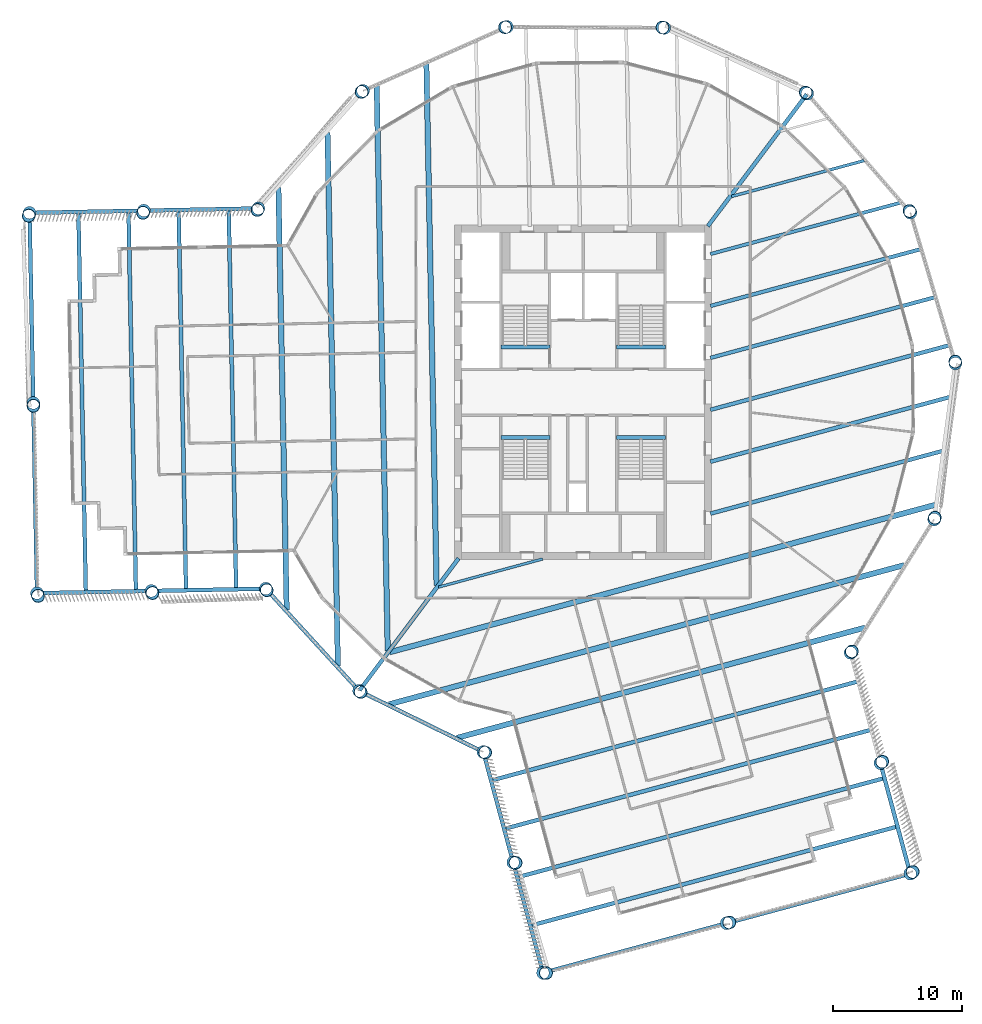
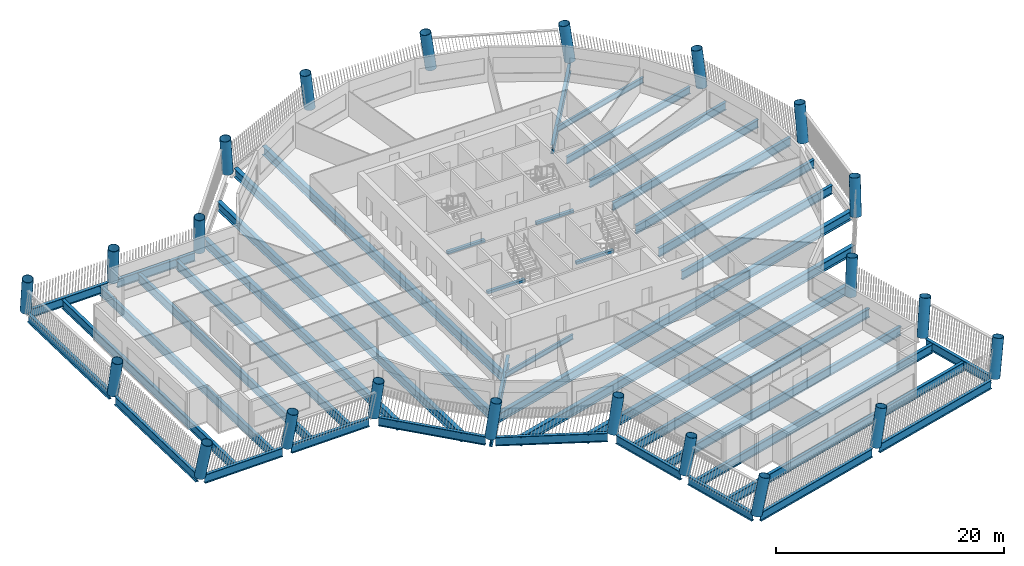
# One storey, part 1 of 15: 42 beams, 22 columns.
"""IFC4 building model written with IfcOpenShell, lengths in metres."""

from ifc_helpers import new_model, si_unit, direction, frame, origin, origin_2d, place, context, subcontext, project, spatial, rectangle, hollow_circle, i_section, extrude, material, material_profile, profile_set, type_object, element, save


model = new_model("IFC4")

# Units and contexts
model_context = context("Model", 3, precision=1e-05, world=origin(), true_north=direction((0.0, 1.0)))
body_context = subcontext(model_context, "Body", "Model", "MODEL_VIEW")
ifc_project = project(units=[si_unit("LENGTHUNIT", "METRE"), si_unit("AREAUNIT", "SQUARE_METRE"), si_unit("VOLUMEUNIT", "CUBIC_METRE"), si_unit("PLANEANGLEUNIT", "RADIAN"), si_unit("MASSUNIT", "GRAM", prefix="KILO")], contexts=[model_context])

# Site, building, storey
site_placement = place(None, origin())
site = spatial("IfcSite", under=ifc_project, at=site_placement, CompositionType="ELEMENT")
building_placement = place(site_placement, origin())
building = spatial("IfcBuilding", under=site, at=building_placement, Name="Tarsis Ring Headquarters", CompositionType="ELEMENT")
storey_placement = place(building_placement, frame((0.0, 0.0, 290.300048828125)))
storey = spatial("IfcBuildingStorey", under=building, at=storey_placement, Name="L68", CompositionType="ELEMENT", Elevation=290.300048828125)

# Columns
ifc_material_1 = material(Name="Structural steel S355", Category="steel")
ifc_material_profile_1 = material_profile(ifc_material_1, hollow_circle(Radius=0.508056640625, WallThickness=0.0400390625, at=origin_2d()), Name="CHS 1016x40")
ifc_profile_set_1 = profile_set([ifc_material_profile_1], Name="Structural steel S355")
column_type = type_object("IfcColumnType", Name="XC Exo column CHS 1016x40", PredefinedType="COLUMN", material=ifc_profile_set_1)
for number, where, z_axis, x_axis, name in (
    (1, (-17.43310546875, -23.23583984375, 0.0009765625), (0.103786666168, -0.076458040726, 0.991656440474), (0.593116857895, 0.805116384681, 0.0), "Exo column XC6 F1"),
    (2, (-7.767578125, -27.99072265625, 0.0009765625), (0.124470239143, -0.033353552106, 0.991662593894), (0.258832454679, 0.965922233104, 0.0), "Exo column XC6 AK"),
):
    element("IfcColumn", number, at=place(storey_placement, frame(where, z_axis=z_axis, x_axis=x_axis)), inside=storey, type_object=column_type, Name=name, PredefinedType="COLUMN", context=body_context, shape_type="SweptSolid", body=[
        extrude(hollow_circle(Radius=0.508056640625, WallThickness=0.0400390625, at=origin_2d()), origin(), (0.0, 0.0, 1.0), 3.9306640625),
    ])
column_1_placement = place(storey_placement, frame((-5.445556640625, -36.584716796875, 0.001220703125), z_axis=(0.161730679058, -0.022618811057, 0.986575682266), x_axis=(0.138506802645, 0.990361482299, 0.0)))
element("IfcColumn", 3, at=column_1_placement, inside=storey, type_object=column_type, Name="Exo column XC6 AI1", PredefinedType="COLUMN", context=body_context, shape_type="SweptSolid", body=[
    extrude(hollow_circle(Radius=0.508056640625, WallThickness=0.0400390625, at=origin_2d()), origin(), (0.0, 0.0, 1.0), 3.950439453125),
])
column_2_placement = place(storey_placement, frame((-3.123291015625, -45.1787109375, 0.00146484375), z_axis=(0.19826242891, -0.011973110448, 0.980075840897), x_axis=(0.060280393095, 0.998181483603, 0.0)))
element("IfcColumn", 4, at=column_2_placement, inside=storey, type_object=column_type, Name="Exo column XC6 AT1", PredefinedType="COLUMN", context=body_context, shape_type="SweptSolid", body=[
    extrude(hollow_circle(Radius=0.508056640625, WallThickness=0.0400390625, at=origin_2d()), origin(), (0.0, 0.0, 1.0), 3.97607421875),
])
column_3_placement = place(storey_placement, frame((11.164306640625, -41.318359375, 0.00146484375), z_axis=(0.181145546283, 0.050701063226, 0.982148508755), x_axis=(-0.269532860949, 0.962991192519, 0.0)))
element("IfcColumn", 5, at=column_3_placement, inside=storey, type_object=column_type, Name="Exo column XC6 AT2", PredefinedType="COLUMN", context=body_context, shape_type="SweptSolid", body=[
    extrude(hollow_circle(Radius=0.508056640625, WallThickness=0.0400390625, at=origin_2d()), origin(), (0.0, 0.0, 1.0), 3.9677734375),
])
column_4_placement = place(storey_placement, frame((25.451904296875, -37.457763671875, 0.00146484375), z_axis=(0.163324244987, 0.113098969649, 0.980068270104), x_axis=(-0.569306404665, 0.822125426932, 0.0)))
element("IfcColumn", 6, at=column_4_placement, inside=storey, type_object=column_type, Name="Exo column XC6 AT3", PredefinedType="COLUMN", context=body_context, shape_type="SweptSolid", body=[
    extrude(hollow_circle(Radius=0.508056640625, WallThickness=0.0400390625, at=origin_2d()), origin(), (0.0, 0.0, 1.0), 3.976318359375),
])
column_5_placement = place(storey_placement, frame((23.129638671875, -28.86376953125, 0.001220703125), z_axis=(0.126565519273, 0.103267081399, 0.9865683348), x_axis=(-0.632186503027, 0.774816252663, 0.0)))
element("IfcColumn", 7, at=column_5_placement, inside=storey, type_object=column_type, Name="Exo column XC6 AO1", PredefinedType="COLUMN", context=body_context, shape_type="SweptSolid", body=[
    extrude(hollow_circle(Radius=0.508056640625, WallThickness=0.0400390625, at=origin_2d()), origin(), (0.0, 0.0, 1.0), 3.950439453125),
])
for number, where, z_axis, x_axis, name in (
    (8, (20.8076171875, -20.269775390625, 0.0009765625), (0.08912830623, 0.093165476895, 0.991653336072), (-0.722589545207, 0.691277331581, 0.0), "Exo column XC6 AJ"),
    (9, (27.312744140625, -9.890869140625, 0.0009765625), (0.042856390178, 0.121550660258, 0.991659602289), (-0.943097046573, 0.332517609676, 0.0), "Exo column XC6 R1"),
    (10, (28.96142578125, 2.246337890625, 0.0009765625), (-0.011055656146, 0.128444364666, 0.991655090065), (-0.996316132979, -0.085756417636, 0.0), "Exo column XC6 R2"),
    (11, (25.4609375, 13.984375, 0.0009765625), (-0.063042325337, 0.112420304295, 0.991658883083), (-0.872218257748, -0.489116868295, 0.0), "Exo column XC6 R3"),
    (12, (17.43310546875, 23.23583984375, 0.0009765625), (-0.103786666168, 0.076458040726, 0.991656440474), (-0.593116857895, -0.805116384681, 0.0), "Exo column XC6 R4"),
    (13, (6.3056640625, 28.35595703125, 0.0009765625), (-0.126084359077, 0.02683174538, 0.99165658967), (-0.208146874456, -0.978097581356, 0.0), "Exo column XC6 R5"),
    (14, (-5.94287109375, 28.43408203125, 0.0009765625), (-0.125959986428, -0.027452817555, 0.991655396107), (0.212949665458, -0.977063170927, 0.0), "Exo column XC6 R6"),
    (15, (-17.134765625, 23.45654296875, 0.0009765625), (-0.103414548252, -0.076893219661, 0.991661668101), (0.596678892036, -0.802480093086, 0.0), "Exo column XC6 R7"),
    (16, (-25.280029296875, 14.30859375, 0.0009765625), (-0.062544766843, -0.112791754307, 0.991648209952), (0.8745431697, -0.484947671745, 0.0), "Exo column XC6 BJ"),
):
    element("IfcColumn", number, at=place(storey_placement, frame(where, z_axis=z_axis, x_axis=x_axis)), inside=storey, type_object=column_type, Name=name, PredefinedType="COLUMN", context=body_context, shape_type="SweptSolid", body=[
        extrude(hollow_circle(Radius=0.508056640625, WallThickness=0.0400390625, at=origin_2d()), origin(), (0.0, 0.0, 1.0), 3.9306640625),
    ])
column_6_placement = place(storey_placement, frame((-34.1806640625, 14.13427734375, 0.001220703125), z_axis=(-0.061058896363, -0.15141123086, 0.986583220182), x_axis=(0.927428765891, -0.373999845184, 0.0)))
element("IfcColumn", 17, at=column_6_placement, inside=storey, type_object=column_type, Name="Exo column XC6 BO1", PredefinedType="COLUMN", context=body_context, shape_type="SweptSolid", body=[
    extrude(hollow_circle(Radius=0.508056640625, WallThickness=0.0400390625, at=origin_2d()), origin(), (0.0, 0.0, 1.0), 3.950439453125),
])
column_7_placement = place(storey_placement, frame((-43.081298828125, 13.960205078125, 0.00146484375), z_axis=(-0.059558568495, -0.189482208634, 0.980076154964), x_axis=(0.95398361098, -0.299858750049, 0.0)))
element("IfcColumn", 18, at=column_7_placement, inside=storey, type_object=column_type, Name="Exo column XC6 BT3", PredefinedType="COLUMN", context=body_context, shape_type="SweptSolid", body=[
    extrude(hollow_circle(Radius=0.508056640625, WallThickness=0.0400390625, at=origin_2d()), origin(), (0.0, 0.0, 1.0), 3.97607421875),
])
column_8_placement = place(storey_placement, frame((-42.791748046875, -0.8369140625, 0.00146484375), z_axis=(0.005291611615, -0.188036803435, 0.98214772789), x_axis=(0.999604266924, 0.028130224789, 0.0)))
element("IfcColumn", 19, at=column_8_placement, inside=storey, type_object=column_type, Name="Exo column XC6 BT2", PredefinedType="COLUMN", context=body_context, shape_type="SweptSolid", body=[
    extrude(hollow_circle(Radius=0.508056640625, WallThickness=0.0400390625, at=origin_2d()), origin(), (0.0, 0.0, 1.0), 3.9677734375),
])
column_9_placement = place(storey_placement, frame((-42.50244140625, -15.634033203125, 0.00146484375), z_axis=(0.070181024801, -0.185798583593, 0.980078318346), x_axis=(0.935487991101, 0.353358484411, 0.0)))
element("IfcColumn", 20, at=column_9_placement, inside=storey, type_object=column_type, Name="Exo column XC6 BT1", PredefinedType="COLUMN", context=body_context, shape_type="SweptSolid", body=[
    extrude(hollow_circle(Radius=0.508056640625, WallThickness=0.0400390625, at=origin_2d()), origin(), (0.0, 0.0, 1.0), 3.97607421875),
])
column_10_placement = place(storey_placement, frame((-33.601806640625, -15.4599609375, 0.001220703125), z_axis=(0.06952505244, -0.147763911453, 0.98657594414), x_axis=(0.904844430021, 0.425742360424, 0.0)))
element("IfcColumn", 21, at=column_10_placement, inside=storey, type_object=column_type, Name="Exo column XC6 BI1", PredefinedType="COLUMN", context=body_context, shape_type="SweptSolid", body=[
    extrude(hollow_circle(Radius=0.508056640625, WallThickness=0.0400390625, at=origin_2d()), origin(), (0.0, 0.0, 1.0), 3.950439453125),
])
column_11_placement = place(storey_placement, frame((-24.701416015625, -15.285888671875, 0.0009765625), z_axis=(0.068818436156, -0.109003930915, 0.991656274064), x_axis=(0.845580482624, 0.533847962819, 0.0)))
element("IfcColumn", 22, at=column_11_placement, inside=storey, type_object=column_type, Name="Exo column XC6 BK", PredefinedType="COLUMN", context=body_context, shape_type="SweptSolid", body=[
    extrude(hollow_circle(Radius=0.508056640625, WallThickness=0.0400390625, at=origin_2d()), origin(), (0.0, 0.0, 1.0), 3.9306640625),
])

# Beams
ifc_material_profile_2 = material_profile(ifc_material_1, i_section(OverallWidth=0.209228515625, OverallDepth=0.533447265625, WebThickness=0.01025390625, FlangeThickness=0.015625, at=origin_2d()), Name="W21x62")
ifc_profile_set_2 = profile_set([ifc_material_profile_2], Name="Structural steel S355")
beam_type_1 = type_object("IfcBeamType", Name="FB Floor beam W21x62", PredefinedType="JOIST", material=ifc_profile_set_2)
beam_1_placement = place(storey_placement, frame((-11.258544921875, -15.16162109375, -0.4267578125), z_axis=(0.965377857415, 0.260855501019, 0.0), x_axis=(-0.260855501019, 0.965377857415, 0.0)))
element("IfcBeam", 23, at=beam_1_placement, inside=storey, type_object=beam_type_1, Name="Floor beam FB3", PredefinedType="JOIST", context=body_context, shape_type="SweptSolid", body=[
    extrude(i_section(OverallWidth=0.209228515625, OverallDepth=0.533447265625, WebThickness=0.01025390625, FlangeThickness=0.015625, at=origin_2d()), origin(), (0.0, 0.0, 1.0), 8.38671875),
])
ifc_material_profile_3 = material_profile(ifc_material_1, i_section(OverallWidth=0.228271484375, OverallDepth=0.607177734375, WebThickness=0.01123046875, FlangeThickness=0.017333984375, at=origin_2d()), Name="W24x76")
ifc_profile_set_3 = profile_set([ifc_material_profile_3], Name="Structural steel S355")
beam_type_2 = type_object("IfcBeamType", Name="FB Floor beam W24x76", PredefinedType="JOIST", material=ifc_profile_set_3)
beam_2_placement = place(storey_placement, frame((11.551513671875, 15.24072265625, -0.463623046875), z_axis=(0.96537863491, 0.260852623639, 0.0), x_axis=(-0.260852623639, 0.96537863491, 0.0)))
element("IfcBeam", 24, at=beam_2_placement, inside=storey, type_object=beam_type_2, Name="Floor beam FB4", PredefinedType="JOIST", context=body_context, shape_type="SweptSolid", body=[
    extrude(i_section(OverallWidth=0.228271484375, OverallDepth=0.607177734375, WebThickness=0.01123046875, FlangeThickness=0.017333984375, at=origin_2d()), origin(), (0.0, 0.0, 1.0), 10.6845703125),
])
ifc_material_profile_4 = material_profile(ifc_material_1, i_section(OverallWidth=0.2666015625, OverallDepth=0.7568359375, WebThickness=0.013916015625, FlangeThickness=0.019287109375, at=origin_2d()), Name="W30x108")
ifc_profile_set_4 = profile_set([ifc_material_profile_4], Name="Structural steel S355")
beam_type_3 = type_object("IfcBeamType", Name="FB Floor beam W30x108", PredefinedType="JOIST", material=ifc_profile_set_4)
beam_3_placement = place(storey_placement, frame((9.903564453125, 10.755615234375, -0.53857421875), z_axis=(0.96538246681, 0.260838441907, 0.0), x_axis=(-0.260838441907, 0.96538246681, 0.0)))
element("IfcBeam", 25, at=beam_3_placement, inside=storey, type_object=beam_type_3, Name="Floor beam FB6", PredefinedType="JOIST", context=body_context, shape_type="SweptSolid", body=[
    extrude(i_section(OverallWidth=0.2666015625, OverallDepth=0.7568359375, WebThickness=0.013916015625, FlangeThickness=0.019287109375, at=origin_2d()), origin(), (0.0, 0.0, 1.0), 15.333251953125),
])
ifc_material_profile_5 = material_profile(ifc_material_1, i_section(OverallWidth=0.2919921875, OverallDepth=0.835693359375, WebThickness=0.013916015625, FlangeThickness=0.018798828125, at=origin_2d()), Name="W33x118")
ifc_profile_set_5 = profile_set([ifc_material_profile_5], Name="Structural steel S355")
beam_type_4 = type_object("IfcBeamType", Name="FB Floor beam W33x118", PredefinedType="JOIST", material=ifc_profile_set_5)
beam_4_placement = place(storey_placement, frame((9.903564453125, 6.7158203125, -0.577880859375), z_axis=(0.965381544537, 0.260841855284, 0.0), x_axis=(-0.260841855284, 0.965381544537, 0.0)))
element("IfcBeam", 26, at=beam_4_placement, inside=storey, type_object=beam_type_4, Name="Floor beam FB7", PredefinedType="JOIST", context=body_context, shape_type="SweptSolid", body=[
    extrude(i_section(OverallWidth=0.2919921875, OverallDepth=0.835693359375, WebThickness=0.013916015625, FlangeThickness=0.018798828125, at=origin_2d()), origin(), (0.0, 0.0, 1.0), 16.9365234375),
])
beam_5_placement = place(storey_placement, frame((9.903564453125, 2.67578125, -0.577880859375), z_axis=(0.96538148796, 0.260842064677, 0.0), x_axis=(-0.260842064677, 0.96538148796, 0.0)))
element("IfcBeam", 27, at=beam_5_placement, inside=storey, type_object=beam_type_4, Name="Floor beam FB7", PredefinedType="JOIST", context=body_context, shape_type="SweptSolid", body=[
    extrude(i_section(OverallWidth=0.2919921875, OverallDepth=0.835693359375, WebThickness=0.013916015625, FlangeThickness=0.018798828125, at=origin_2d()), origin(), (0.0, 0.0, 1.0), 18.09130859375),
])
ifc_material_profile_6 = material_profile(ifc_material_1, i_section(OverallWidth=0.3046875, OverallDepth=0.904296875, WebThickness=0.01513671875, FlangeThickness=0.02001953125, at=origin_2d()), Name="W36x135")
ifc_profile_set_6 = profile_set([ifc_material_profile_6], Name="Structural steel S355")
beam_type_5 = type_object("IfcBeamType", Name="FB Floor beam W36x135", PredefinedType="JOIST", material=ifc_profile_set_6)
beam_6_placement = place(storey_placement, frame((9.903564453125, -1.364013671875, -0.612060546875), z_axis=(0.965381438173, 0.260842248938, 0.0), x_axis=(-0.260842248938, 0.965381438173, 0.0)))
element("IfcBeam", 28, at=beam_6_placement, inside=storey, type_object=beam_type_5, Name="Floor beam FB8", PredefinedType="JOIST", context=body_context, shape_type="SweptSolid", body=[
    extrude(i_section(OverallWidth=0.3046875, OverallDepth=0.904296875, WebThickness=0.01513671875, FlangeThickness=0.02001953125, at=origin_2d()), origin(), (0.0, 0.0, 1.0), 19.246337890625),
])
beam_7_placement = place(storey_placement, frame((9.903564453125, -5.40380859375, -0.612060546875), z_axis=(0.965380348063, 0.260846283419, 0.0), x_axis=(-0.260846283419, 0.965380348063, 0.0)))
element("IfcBeam", 29, at=beam_7_placement, inside=storey, type_object=beam_type_5, Name="Floor beam FB8", PredefinedType="JOIST", context=body_context, shape_type="SweptSolid", body=[
    extrude(i_section(OverallWidth=0.3046875, OverallDepth=0.904296875, WebThickness=0.01513671875, FlangeThickness=0.02001953125, at=origin_2d()), origin(), (0.0, 0.0, 1.0), 19.307861328125),
])
beam_8_placement = place(storey_placement, frame((9.903564453125, -9.443603515625, -0.612060546875), z_axis=(0.965382391513, 0.260838720586, 0.0), x_axis=(-0.260838720586, 0.965382391513, 0.0)))
element("IfcBeam", 30, at=beam_8_placement, inside=storey, type_object=beam_type_5, Name="Floor beam FB8", PredefinedType="JOIST", context=body_context, shape_type="SweptSolid", body=[
    extrude(i_section(OverallWidth=0.3046875, OverallDepth=0.904296875, WebThickness=0.01513671875, FlangeThickness=0.02001953125, at=origin_2d()), origin(), (0.0, 0.0, 1.0), 18.7177734375),
])
ifc_material_profile_7 = material_profile(ifc_material_1, i_section(OverallWidth=0.309814453125, OverallDepth=0.949951171875, WebThickness=0.0244140625, FlangeThickness=0.0439453125, at=origin_2d()), Name="W36x256")
ifc_profile_set_7 = profile_set([ifc_material_profile_7], Name="Structural steel S355")
beam_type_6 = type_object("IfcBeamType", Name="FB Floor beam W36x256", PredefinedType="JOIST", material=ifc_profile_set_7)
beam_9_placement = place(storey_placement, frame((-7.113525390625, -30.200927734375, -0.635009765625), z_axis=(0.96538204462, 0.260840004458, 0.0), x_axis=(-0.260840004458, 0.96538204462, 0.0)))
element("IfcBeam", 31, at=beam_9_placement, inside=storey, type_object=beam_type_6, Name="Floor beam FB11", PredefinedType="JOIST", context=body_context, shape_type="SweptSolid", body=[
    extrude(i_section(OverallWidth=0.309814453125, OverallDepth=0.949951171875, WebThickness=0.0244140625, FlangeThickness=0.0439453125, at=origin_2d()), origin(), (0.0, 0.0, 1.0), 29.489990234375),
])
beam_10_placement = place(storey_placement, frame((-6.096435546875, -33.966064453125, -0.635009765625), z_axis=(0.965380523202, 0.260845635238, 0.0), x_axis=(-0.260845635238, 0.965380523202, 0.0)))
element("IfcBeam", 32, at=beam_10_placement, inside=storey, type_object=beam_type_6, Name="Floor beam FB11", PredefinedType="JOIST", context=body_context, shape_type="SweptSolid", body=[
    extrude(i_section(OverallWidth=0.309814453125, OverallDepth=0.949951171875, WebThickness=0.0244140625, FlangeThickness=0.0439453125, at=origin_2d()), origin(), (0.0, 0.0, 1.0), 29.490234375),
])
beam_11_placement = place(storey_placement, frame((-5.0791015625, -37.73095703125, -0.635009765625), z_axis=(0.965382607882, 0.260837919788, 0.0), x_axis=(-0.260837919788, 0.965382607882, 0.0)))
element("IfcBeam", 33, at=beam_11_placement, inside=storey, type_object=beam_type_6, Name="Floor beam FB11", PredefinedType="JOIST", context=body_context, shape_type="SweptSolid", body=[
    extrude(i_section(OverallWidth=0.309814453125, OverallDepth=0.949951171875, WebThickness=0.0244140625, FlangeThickness=0.0439453125, at=origin_2d()), origin(), (0.0, 0.0, 1.0), 29.489990234375),
])
beam_12_placement = place(storey_placement, frame((-4.061767578125, -41.49609375, -0.635009765625), z_axis=(0.965380523202, 0.260845635238, 0.0), x_axis=(-0.260845635238, 0.965380523202, 0.0)))
element("IfcBeam", 34, at=beam_12_placement, inside=storey, type_object=beam_type_6, Name="Floor beam FB11", PredefinedType="JOIST", context=body_context, shape_type="SweptSolid", body=[
    extrude(i_section(OverallWidth=0.309814453125, OverallDepth=0.949951171875, WebThickness=0.0244140625, FlangeThickness=0.0439453125, at=origin_2d()), origin(), (0.0, 0.0, 1.0), 29.490234375),
])
for number, where, z_axis, x_axis, name in (
    (35, (-27.5830078125, 14.20849609375, -0.635009765625), (0.019546145873, -0.999808955842, 0.0), (0.999808955842, 0.019546145873, 0.0), "Floor beam FB11"),
    (36, (-31.482177734375, 14.13232421875, -0.635009765625), (0.019546145873, -0.999808955842, 0.0), (0.999808955842, 0.019546145873, 0.0), "Floor beam FB11"),
    (37, (-35.381591796875, 14.05615234375, -0.635009765625), (0.019546145873, -0.999808955842, 0.0), (0.999808955842, 0.019546145873, 0.0), "Floor beam FB11"),
):
    element("IfcBeam", number, at=place(storey_placement, frame(where, z_axis=z_axis, x_axis=x_axis)), inside=storey, type_object=beam_type_6, Name=name, PredefinedType="JOIST", context=body_context, shape_type="SweptSolid", body=[
        extrude(i_section(OverallWidth=0.309814453125, OverallDepth=0.949951171875, WebThickness=0.0244140625, FlangeThickness=0.0439453125, at=origin_2d()), origin(), (0.0, 0.0, 1.0), 29.489990234375),
    ])
beam_13_placement = place(storey_placement, frame((-39.28076171875, 13.97998046875, -0.635009765625), z_axis=(0.019545984087, -0.999808959005, 0.0), x_axis=(0.999808959005, 0.019545984087, 0.0)))
element("IfcBeam", 38, at=beam_13_placement, inside=storey, type_object=beam_type_6, Name="Floor beam FB11", PredefinedType="JOIST", context=body_context, shape_type="SweptSolid", body=[
    extrude(i_section(OverallWidth=0.309814453125, OverallDepth=0.949951171875, WebThickness=0.0244140625, FlangeThickness=0.0439453125, at=origin_2d()), origin(), (0.0, 0.0, 1.0), 29.490234375),
])
beam_type_7 = type_object("IfcBeamType", Name="FB Floor beam W36x256 spine", PredefinedType="BEAM", material=ifc_profile_set_7)
beam_14_placement = place(storey_placement, frame((-9.693603515625, -12.919921875, -0.635009765625), z_axis=(-0.600136904575, -0.799897303263, 0.0), x_axis=(0.799897303263, -0.600136904575, 0.0)))
element("IfcBeam", 39, at=beam_14_placement, inside=storey, type_object=beam_type_7, Name="Floor beam SB11", PredefinedType="BEAM", context=body_context, shape_type="SweptSolid", body=[
    extrude(i_section(OverallWidth=0.309814453125, OverallDepth=0.949951171875, WebThickness=0.0244140625, FlangeThickness=0.0439453125, at=origin_2d()), origin(), (0.0, 0.0, 1.0), 12.8388671875),
])
beam_15_placement = place(storey_placement, frame((17.398193359375, 23.18896484375, -0.635009765625), z_axis=(-0.60013995628, -0.799895013659, 0.0), x_axis=(0.799895013659, -0.60013995628, 0.0)))
element("IfcBeam", 40, at=beam_15_placement, inside=storey, type_object=beam_type_7, Name="Floor beam SB11", PredefinedType="BEAM", context=body_context, shape_type="SweptSolid", body=[
    extrude(i_section(OverallWidth=0.309814453125, OverallDepth=0.949951171875, WebThickness=0.0244140625, FlangeThickness=0.0439453125, at=origin_2d()), origin(), (0.0, 0.0, 1.0), 12.837890625),
])
ifc_material_profile_8 = material_profile(ifc_material_1, i_section(OverallWidth=0.42431640625, OverallDepth=0.947509765625, WebThickness=0.02392578125, FlangeThickness=0.042724609375, at=origin_2d()), Name="W36x302")
ifc_profile_set_8 = profile_set([ifc_material_profile_8], Name="Structural steel S355")
beam_type_8 = type_object("IfcBeamType", Name="FB Floor beam W36x302", PredefinedType="JOIST", material=ifc_profile_set_8)
beam_16_placement = place(storey_placement, frame((-15.060302734375, -20.228515625, -0.6337890625), z_axis=(0.965382470936, 0.260838426636, 0.0), x_axis=(-0.260838426636, 0.965382470936, 0.0)))
element("IfcBeam", 41, at=beam_16_placement, inside=storey, type_object=beam_type_8, Name="Floor beam FB12", PredefinedType="JOIST", context=body_context, shape_type="SweptSolid", body=[
    extrude(i_section(OverallWidth=0.42431640625, OverallDepth=0.947509765625, WebThickness=0.02392578125, FlangeThickness=0.042724609375, at=origin_2d()), origin(), (0.0, 0.0, 1.0), 43.986572265625),
])
beam_17_placement = place(storey_placement, frame((-15.10693359375, -24.281005859375, -0.6337890625), z_axis=(0.965381881786, 0.260840607112, 0.0), x_axis=(-0.260840607112, 0.965381881786, 0.0)))
element("IfcBeam", 42, at=beam_17_placement, inside=storey, type_object=beam_type_8, Name="Floor beam FB12", PredefinedType="JOIST", context=body_context, shape_type="SweptSolid", body=[
    extrude(i_section(OverallWidth=0.42431640625, OverallDepth=0.947509765625, WebThickness=0.02392578125, FlangeThickness=0.042724609375, at=origin_2d()), origin(), (0.0, 0.0, 1.0), 41.523681640625),
])
beam_18_placement = place(storey_placement, frame((-9.80615234375, -26.888671875, -0.6337890625), z_axis=(0.965381690995, 0.260841313239, 0.0), x_axis=(-0.260841313239, 0.965381690995, 0.0)))
element("IfcBeam", 43, at=beam_18_placement, inside=storey, type_object=beam_type_8, Name="Floor beam FB12", PredefinedType="JOIST", context=body_context, shape_type="SweptSolid", body=[
    extrude(i_section(OverallWidth=0.42431640625, OverallDepth=0.947509765625, WebThickness=0.02392578125, FlangeThickness=0.042724609375, at=origin_2d()), origin(), (0.0, 0.0, 1.0), 32.875244140625),
])
beam_19_placement = place(storey_placement, frame((-12.202392578125, 25.58154296875, -0.6337890625), z_axis=(0.019548614603, -0.999808907575, 0.0), x_axis=(0.999808907575, 0.019548614603, 0.0)))
element("IfcBeam", 44, at=beam_19_placement, inside=storey, type_object=beam_type_8, Name="Floor beam FB12", PredefinedType="JOIST", context=body_context, shape_type="SweptSolid", body=[
    extrude(i_section(OverallWidth=0.42431640625, OverallDepth=0.947509765625, WebThickness=0.02392578125, FlangeThickness=0.042724609375, at=origin_2d()), origin(), (0.0, 0.0, 1.0), 40.638916015625),
])
beam_20_placement = place(storey_placement, frame((-16.069580078125, 23.86181640625, -0.6337890625), z_axis=(0.019548266558, -0.99980891438, 0.0), x_axis=(0.99980891438, 0.019548266558, 0.0)))
element("IfcBeam", 45, at=beam_20_placement, inside=storey, type_object=beam_type_8, Name="Floor beam FB12", PredefinedType="JOIST", context=body_context, shape_type="SweptSolid", body=[
    extrude(i_section(OverallWidth=0.42431640625, OverallDepth=0.947509765625, WebThickness=0.02392578125, FlangeThickness=0.042724609375, at=origin_2d()), origin(), (0.0, 0.0, 1.0), 43.986572265625),
])
beam_21_placement = place(storey_placement, frame((-19.899169921875, 20.22119140625, -0.6337890625), z_axis=(0.019549450825, -0.999808891225, 0.0), x_axis=(0.999808891225, 0.019549450825, 0.0)))
element("IfcBeam", 46, at=beam_21_placement, inside=storey, type_object=beam_type_8, Name="Floor beam FB12", PredefinedType="JOIST", context=body_context, shape_type="SweptSolid", body=[
    extrude(i_section(OverallWidth=0.42431640625, OverallDepth=0.947509765625, WebThickness=0.02392578125, FlangeThickness=0.042724609375, at=origin_2d()), origin(), (0.0, 0.0, 1.0), 41.52392578125),
])
beam_22_placement = place(storey_placement, frame((-23.716064453125, 15.934326171875, -0.6337890625), z_axis=(0.0195458523, -0.999808961581, 0.0), x_axis=(0.999808961581, 0.0195458523, 0.0)))
element("IfcBeam", 47, at=beam_22_placement, inside=storey, type_object=beam_type_8, Name="Floor beam FB12", PredefinedType="JOIST", context=body_context, shape_type="SweptSolid", body=[
    extrude(i_section(OverallWidth=0.42431640625, OverallDepth=0.947509765625, WebThickness=0.02392578125, FlangeThickness=0.042724609375, at=origin_2d()), origin(), (0.0, 0.0, 1.0), 32.87548828125),
])
ifc_material_2 = material(Name="Concrete C40/50", Category="concrete")
ifc_material_profile_9 = material_profile(ifc_material_2, rectangle(XDim=0.300048828125, YDim=0.300048828125, at=origin_2d()), Name="Stair head beam 300x300 C40/50")
ifc_profile_set_9 = profile_set([ifc_material_profile_9], Name="Concrete C40/50")
beam_type_9 = type_object("IfcBeamType", Name="Stair head beam 300x300 C40/50", PredefinedType="BEAM", material=ifc_profile_set_9)
for number, where, z_axis, x_axis, name in (
    (48, (-6.39990234375, 3.510009765625, -0.31005859375), (1.0, 0.0, 0.0), (0.0, 1.0, 0.0), "Stair head beam L68 Firefighting stair"),
    (49, (2.60009765625, 3.510009765625, -0.31005859375), (1.0, 0.0, 0.0), (0.0, 1.0, 0.0), "Stair head beam L68 Exit stair B"),
    (50, (-6.39990234375, -3.510009765625, -0.31005859375), (1.0, 0.0, 0.0), (0.0, 1.0, 0.0), "Stair head beam L68 Exit stair C"),
    (51, (2.60009765625, -3.510009765625, -0.31005859375), (1.0, 0.0, 0.0), (0.0, 1.0, 0.0), "Stair head beam L68 Exit stair D"),
):
    element("IfcBeam", number, at=place(storey_placement, frame(where, z_axis=z_axis, x_axis=x_axis)), inside=storey, type_object=beam_type_9, Name=name, PredefinedType="BEAM", context=body_context, shape_type="SweptSolid", body=[
        extrude(rectangle(XDim=0.300048828125, YDim=0.300048828125, at=origin_2d()), origin(), (0.0, 0.0, 1.0), 3.7998046875),
    ])
ifc_material_profile_10 = material_profile(ifc_material_1, i_section(OverallWidth=0.309814453125, OverallDepth=0.93212890625, WebThickness=0.02099609375, FlangeThickness=0.034423828125, at=origin_2d()), Name="W36x210")
ifc_profile_set_10 = profile_set([ifc_material_profile_10], Name="Structural steel S355")
beam_type_10 = type_object("IfcBeamType", Name="XG Ring girder W36x210", PredefinedType="BEAM", material=ifc_profile_set_10)
beam_23_placement = place(storey_placement, frame((-17.02294921875, -23.4375, -0.466064453125), z_axis=(0.897296415726, -0.441428524593, 0.0), x_axis=(0.441428524593, 0.897296415726, 0.0)))
element("IfcBeam", 52, at=beam_23_placement, inside=storey, type_object=beam_type_10, Name="Ring girder XG3", PredefinedType="BEAM", context=body_context, shape_type="SweptSolid", body=[
    extrude(i_section(OverallWidth=0.309814453125, OverallDepth=0.93212890625, WebThickness=0.02099609375, FlangeThickness=0.034423828125, at=origin_2d()), origin(), (0.0, 0.0, 1.0), 9.857421875),
])
for number, where, z_axis, x_axis, name in (
    (53, (-7.6484375, -28.43212890625, -0.466064453125), (0.260838199485, -0.96538253231, 0.0), (0.96538253231, 0.260838199485, 0.0), "Ring girder XG3"),
    (54, (-5.326416015625, -37.026123046875, -0.466064453125), (0.260838199485, -0.96538253231, 0.0), (0.96538253231, 0.260838199485, 0.0), "Ring girder XG3"),
):
    element("IfcBeam", number, at=place(storey_placement, frame(where, z_axis=z_axis, x_axis=x_axis)), inside=storey, type_object=beam_type_10, Name=name, PredefinedType="BEAM", context=body_context, shape_type="SweptSolid", body=[
        extrude(i_section(OverallWidth=0.309814453125, OverallDepth=0.93212890625, WebThickness=0.02099609375, FlangeThickness=0.034423828125, at=origin_2d()), origin(), (0.0, 0.0, 1.0), 7.98779296875),
    ])
beam_24_placement = place(storey_placement, frame((-2.682373046875, -45.0595703125, -0.466064453125), z_axis=(0.965379907967, 0.26084791219, 0.0), x_axis=(-0.26084791219, 0.965379907967, 0.0)))
element("IfcBeam", 55, at=beam_24_placement, inside=storey, type_object=beam_type_10, Name="Ring girder XG3", PredefinedType="BEAM", context=body_context, shape_type="SweptSolid", body=[
    extrude(i_section(OverallWidth=0.309814453125, OverallDepth=0.93212890625, WebThickness=0.02099609375, FlangeThickness=0.034423828125, at=origin_2d()), origin(), (0.0, 0.0, 1.0), 13.8857421875),
])
beam_25_placement = place(storey_placement, frame((11.60546875, -41.198974609375, -0.466064453125), z_axis=(0.965383139124, 0.26083595361, 0.0), x_axis=(-0.26083595361, 0.965383139124, 0.0)))
element("IfcBeam", 56, at=beam_25_placement, inside=storey, type_object=beam_type_10, Name="Ring girder XG3", PredefinedType="BEAM", context=body_context, shape_type="SweptSolid", body=[
    extrude(i_section(OverallWidth=0.309814453125, OverallDepth=0.93212890625, WebThickness=0.02099609375, FlangeThickness=0.034423828125, at=origin_2d()), origin(), (0.0, 0.0, 1.0), 13.885498046875),
])
beam_26_placement = place(storey_placement, frame((25.33251953125, -37.0166015625, -0.466064453125), z_axis=(-0.260858987297, 0.965376915379, 0.0), x_axis=(-0.965376915379, -0.260858987297, 0.0)))
element("IfcBeam", 57, at=beam_26_placement, inside=storey, type_object=beam_type_10, Name="Ring girder XG3", PredefinedType="BEAM", context=body_context, shape_type="SweptSolid", body=[
    extrude(i_section(OverallWidth=0.309814453125, OverallDepth=0.93212890625, WebThickness=0.02099609375, FlangeThickness=0.034423828125, at=origin_2d()), origin(), (0.0, 0.0, 1.0), 7.988037109375),
])
for number, where, z_axis, x_axis, name in (
    (58, (-25.737060546875, 14.299560546875, -0.466064453125), (-0.999809263742, -0.019530390057, 0.0), (0.019530390057, -0.999809263742, 0.0), "Ring girder XG3"),
    (59, (-34.6376953125, 14.125732421875, -0.466064453125), (-0.999808666463, -0.019560942362, 0.0), (0.019560942362, -0.999808666463, 0.0), "Ring girder XG3"),
):
    element("IfcBeam", number, at=place(storey_placement, frame(where, z_axis=z_axis, x_axis=x_axis)), inside=storey, type_object=beam_type_10, Name=name, PredefinedType="BEAM", context=body_context, shape_type="SweptSolid", body=[
        extrude(i_section(OverallWidth=0.309814453125, OverallDepth=0.93212890625, WebThickness=0.02099609375, FlangeThickness=0.034423828125, at=origin_2d()), origin(), (0.0, 0.0, 1.0), 7.98779296875),
    ])
beam_27_placement = place(storey_placement, frame((-43.072265625, 13.50341796875, -0.466064453125), z_axis=(0.019551692429, -0.999808847392, 0.0), x_axis=(0.999808847392, 0.019551692429, 0.0)))
element("IfcBeam", 60, at=beam_27_placement, inside=storey, type_object=beam_type_10, Name="Ring girder XG3", PredefinedType="BEAM", context=body_context, shape_type="SweptSolid", body=[
    extrude(i_section(OverallWidth=0.309814453125, OverallDepth=0.93212890625, WebThickness=0.02099609375, FlangeThickness=0.034423828125, at=origin_2d()), origin(), (0.0, 0.0, 1.0), 13.885498046875),
])
beam_28_placement = place(storey_placement, frame((-42.782958984375, -1.293701171875, -0.466064453125), z_axis=(0.019551348734, -0.999808854113, 0.0), x_axis=(0.999808854113, 0.019551348734, 0.0)))
element("IfcBeam", 61, at=beam_28_placement, inside=storey, type_object=beam_type_10, Name="Ring girder XG3", PredefinedType="BEAM", context=body_context, shape_type="SweptSolid", body=[
    extrude(i_section(OverallWidth=0.309814453125, OverallDepth=0.93212890625, WebThickness=0.02099609375, FlangeThickness=0.034423828125, at=origin_2d()), origin(), (0.0, 0.0, 1.0), 13.8857421875),
])
beam_29_placement = place(storey_placement, frame((-42.04541015625, -15.624755859375, -0.466064453125), z_axis=(0.999809263742, 0.019530390057, 0.0), x_axis=(-0.019530390057, 0.999809263742, 0.0)))
element("IfcBeam", 62, at=beam_29_placement, inside=storey, type_object=beam_type_10, Name="Ring girder XG3", PredefinedType="BEAM", context=body_context, shape_type="SweptSolid", body=[
    extrude(i_section(OverallWidth=0.309814453125, OverallDepth=0.93212890625, WebThickness=0.02099609375, FlangeThickness=0.034423828125, at=origin_2d()), origin(), (0.0, 0.0, 1.0), 7.98779296875),
])
beam_30_placement = place(storey_placement, frame((-33.144775390625, -15.450927734375, -0.466064453125), z_axis=(0.999808654767, 0.019561540126, 0.0), x_axis=(-0.019561540126, 0.999808654767, 0.0)))
element("IfcBeam", 63, at=beam_30_placement, inside=storey, type_object=beam_type_10, Name="Ring girder XG3", PredefinedType="BEAM", context=body_context, shape_type="SweptSolid", body=[
    extrude(i_section(OverallWidth=0.309814453125, OverallDepth=0.93212890625, WebThickness=0.02099609375, FlangeThickness=0.034423828125, at=origin_2d()), origin(), (0.0, 0.0, 1.0), 7.987548828125),
])
beam_31_placement = place(storey_placement, frame((-24.39306640625, -15.623291015625, -0.466064453125), z_axis=(0.674770741329, -0.738027402368, 0.0), x_axis=(0.738027402368, 0.674770741329, 0.0)))
element("IfcBeam", 64, at=beam_31_placement, inside=storey, type_object=beam_type_10, Name="Ring girder XG3", PredefinedType="BEAM", context=body_context, shape_type="SweptSolid", body=[
    extrude(i_section(OverallWidth=0.309814453125, OverallDepth=0.93212890625, WebThickness=0.02099609375, FlangeThickness=0.034423828125, at=origin_2d()), origin(), (0.0, 0.0, 1.0), 9.857177734375),
])

save(model, "model.ifc")
